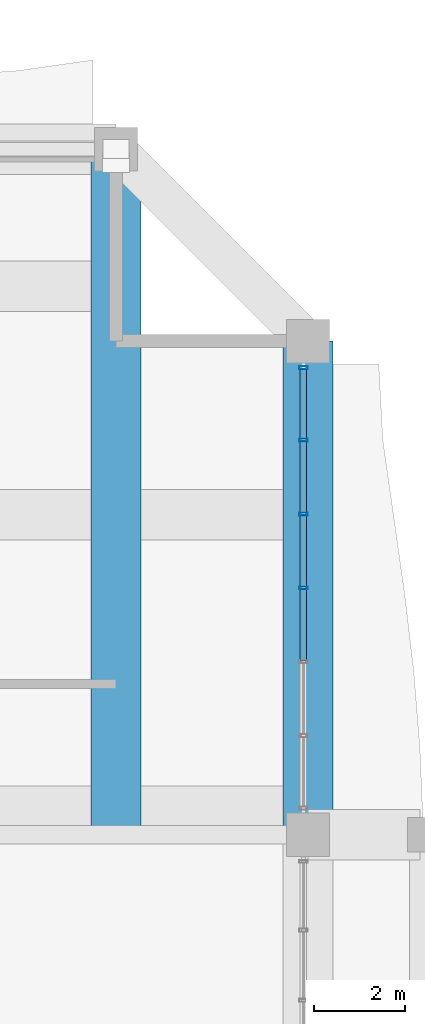
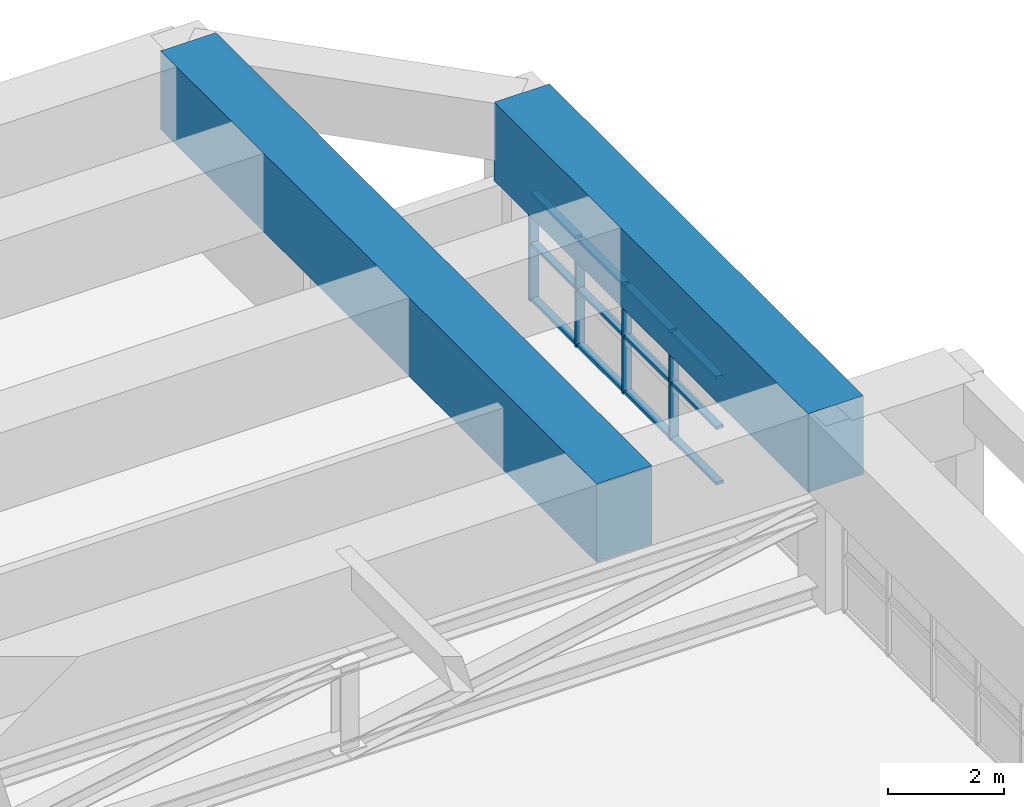
# One storey, part 25 of 35: 16 members, 2 beams, 1 element without a shape of its own.
"""IFC4 building model written with IfcOpenShell, lengths in metres."""

from ifc_helpers import new_model, si_unit, direction, frame, origin, origin_2d, place, context, subcontext, project, spatial, rectangle, hollow_rectangle, extrude, source, transform, mapped, material, layer, layer_set, material_profile, profile_set, type_object, element, aggregate, save


model = new_model("IFC4")

# Units and contexts
model_context = context("Model", 3, precision=1e-05, world=origin(), true_north=direction((0.0, 1.0)))
body_context = subcontext(model_context, "Body", "Model", "MODEL_VIEW")
ifc_project = project(units=[si_unit("LENGTHUNIT", "METRE"), si_unit("AREAUNIT", "SQUARE_METRE"), si_unit("VOLUMEUNIT", "CUBIC_METRE"), si_unit("PLANEANGLEUNIT", "RADIAN"), si_unit("MASSUNIT", "GRAM", prefix="KILO")], contexts=[model_context])

# Site, building, storey
site_placement = place(None, origin())
site = spatial("IfcSite", under=ifc_project, at=site_placement, CompositionType="ELEMENT")
building_placement = place(site_placement, origin())
building = spatial("IfcBuilding", under=site, at=building_placement, Name="Saelheon Loggia Tower", CompositionType="ELEMENT")
storey_placement = place(building_placement, frame((0.0, 0.0, 144.75)))
storey = spatial("IfcBuildingStorey", under=building, at=storey_placement, Name="L46", CompositionType="ELEMENT", Elevation=144.75)

# Beams
ifc_material_1 = material(Name="Concrete C50/60", Category="concrete")
ifc_material_profile_1 = material_profile(ifc_material_1, rectangle(XDim=1.10009765625, YDim=1.64990234375, at=origin_2d()), Name="RC-1100x1650")
ifc_profile_set_1 = profile_set([ifc_material_profile_1], Name="Concrete C50/60")
beam_type_1 = type_object("IfcBeamType", Name="Beam_PerimMega_RC1100x1650", PredefinedType="BEAM", material=ifc_profile_set_1)
shared_shape_1 = source(origin(), body_context, "Body", "SweptSolid", [
    extrude(rectangle(XDim=1.10009765625, YDim=1.64990234375, at=origin_2d()), origin(), (0.0, 0.0, 1.0), 10.800048828125),
])
beam_1_placement = place(storey_placement, frame((64.0, 36.0, 3.125), z_axis=(0.0, 1.0, 0.0), x_axis=(-1.0, 0.0, 0.0)))
element("IfcBeam", 1, at=beam_1_placement, inside=storey, type_object=beam_type_1, Name="L46 Perimeter Frame Girder 07", PredefinedType="BEAM", context=body_context, shape_type="MappedRepresentation", body=[
    mapped(shared_shape_1, transform((0.0, 0.0, 0.0), scale=1.0)),
])
ifc_material_profile_2 = material_profile(ifc_material_1, rectangle(XDim=1.10009765625, YDim=1.64990234375, at=origin_2d()), Name="RC-1100x1650")
ifc_profile_set_2 = profile_set([ifc_material_profile_2], Name="Concrete C50/60")
beam_type_2 = type_object("IfcBeamType", Name="Beam_MegaTransfer_RC1100x1650", PredefinedType="BEAM", material=ifc_profile_set_2)
shared_shape_2 = source(origin(), body_context, "Body", "SweptSolid", [
    extrude(rectangle(XDim=1.10009765625, YDim=1.64990234375, at=origin_2d()), origin(), (0.0, 0.0, 1.0), 15.0),
])
beam_2_placement = place(storey_placement, frame((59.800048828125, 36.0, 3.125), z_axis=(0.0, 1.0, 0.0), x_axis=(-1.0, 0.0, 0.0)))
element("IfcBeam", 2, at=beam_2_placement, inside=storey, type_object=beam_type_2, Name="TG-L46-NL-NE", PredefinedType="BEAM", context=body_context, shape_type="MappedRepresentation", body=[
    mapped(shared_shape_2, transform((0.0, 0.0, 0.0), scale=1.0)),
])

# Curtain wall, members
ifc_material_2 = material(Name="Anodised Aluminium Acoustic Louvre Curtain Wall", Category="aluminium")
ifc_layer = layer(ifc_material_2, 0.179931640625)
ifc_layer_set = layer_set([ifc_layer], Name="Anodised Aluminium Acoustic Louvre Curtain Wall")
curtain_wall_type = type_object("IfcCurtainWallType", Name="CW_RefugeAcoustic", PredefinedType="NOTDEFINED", material=ifc_layer_set)
curtain_wall_placement = place(storey_placement, origin())
curtain_wall = element("IfcCurtainWall", 3, at=curtain_wall_placement, inside=storey, type_object=curtain_wall_type, Name="L46 E Refuge Acoustic Curtain Wall 3", PredefinedType="NOTDEFINED")
ifc_material_3 = material(Name="Anodised Aluminium 6063-T6", Category="aluminium")
ifc_material_profile_3 = material_profile(ifc_material_3, hollow_rectangle(XDim=0.06494140625, YDim=0.179931640625, WallThickness=0.00390625, at=origin_2d()), Name="RHS-180x65x4")
ifc_profile_set_3 = profile_set([ifc_material_profile_3], Name="Anodised Aluminium 6063-T6")
member_type_1 = type_object("IfcMemberType", Name="CW_RefugeAcoustic_Mullion", PredefinedType="MULLION", material=ifc_profile_set_3)
shared_shape_3 = source(origin(), body_context, "Body", "SweptSolid", [
    extrude(hollow_rectangle(XDim=0.06494140625, YDim=0.179931640625, WallThickness=0.00390625, at=origin_2d()), origin(), (0.0, 0.0, 1.0), 2.2900390625),
])
member_1_placement = place(storey_placement, frame((63.89990234375, 41.39990234375, 0.0), z_axis=(0.0, 0.0, 1.0), x_axis=(0.0, 1.0, 0.0)))
member_1 = element("IfcMember", 4, at=member_1_placement, type_object=member_type_1, Name="CW5 mullion 4", PredefinedType="MULLION", context=body_context, shape_type="MappedRepresentation", body=[
    mapped(shared_shape_3, transform((0.0, 0.0, 0.0), scale=1.0)),
])
member_2_placement = place(storey_placement, frame((63.89990234375, 43.0166015625, 0.0), z_axis=(0.0, 0.0, 1.0), x_axis=(0.0, 1.0, 0.0)))
member_2 = element("IfcMember", 5, at=member_2_placement, type_object=member_type_1, Name="CW5 mullion 5", PredefinedType="MULLION", context=body_context, shape_type="MappedRepresentation", body=[
    mapped(shared_shape_3, transform((0.0, 0.0, 0.0), scale=1.0)),
])
member_3_placement = place(storey_placement, frame((63.89990234375, 44.63330078125, 0.0), z_axis=(0.0, 0.0, 1.0), x_axis=(0.0, 1.0, 0.0)))
member_3 = element("IfcMember", 6, at=member_3_placement, type_object=member_type_1, Name="CW5 mullion 6", PredefinedType="MULLION", context=body_context, shape_type="MappedRepresentation", body=[
    mapped(shared_shape_3, transform((0.0, 0.0, 0.0), scale=1.0)),
])
member_4_placement = place(storey_placement, frame((63.89990234375, 46.217529296875, 0.0), z_axis=(0.0, 0.0, 1.0), x_axis=(0.0, 1.0, 0.0)))
member_4 = element("IfcMember", 7, at=member_4_placement, type_object=member_type_1, Name="CW5 mullion 7", PredefinedType="MULLION", context=body_context, shape_type="MappedRepresentation", body=[
    mapped(shared_shape_3, transform((0.0, 0.0, 0.0), scale=1.0)),
])
ifc_material_profile_4 = material_profile(ifc_material_3, hollow_rectangle(XDim=0.06494140625, YDim=0.139892578125, WallThickness=0.00390625, at=origin_2d()), Name="RHS-140x65x4")
ifc_profile_set_4 = profile_set([ifc_material_profile_4], Name="Anodised Aluminium 6063-T6")
member_type_2 = type_object("IfcMemberType", Name="CW_RefugeAcoustic_Transom", PredefinedType="USERDEFINED", material=ifc_profile_set_4)
shared_shape_4 = source(origin(), body_context, "Body", "SweptSolid", [
    extrude(hollow_rectangle(XDim=0.06494140625, YDim=0.139892578125, WallThickness=0.00390625, at=origin_2d()), origin(), (0.0, 0.0, 1.0), 1.519287109375),
])
member_5_placement = place(storey_placement, frame((63.89990234375, 44.665771484375, 0.032470703125), z_axis=(0.0, 1.0, 0.0), x_axis=(0.0, 0.0, 1.0)))
member_5 = element("IfcMember", 8, at=member_5_placement, type_object=member_type_2, Name="CW5 transom 6.1", ObjectType="TRANSOM", PredefinedType="USERDEFINED", context=body_context, shape_type="MappedRepresentation", body=[
    mapped(shared_shape_4, transform((0.0, 0.0, 0.0), scale=1.0)),
])
member_6_placement = place(storey_placement, frame((63.89990234375, 44.665771484375, 1.199951171875), z_axis=(0.0, 1.0, 0.0), x_axis=(0.0, 0.0, 1.0)))
member_6 = element("IfcMember", 9, at=member_6_placement, type_object=member_type_2, Name="CW5 transom 6.2", ObjectType="TRANSOM", PredefinedType="USERDEFINED", context=body_context, shape_type="MappedRepresentation", body=[
    mapped(shared_shape_4, transform((0.0, 0.0, 0.0), scale=1.0)),
])
member_7_placement = place(storey_placement, frame((63.89990234375, 44.665771484375, 2.257568359375), z_axis=(0.0, 1.0, 0.0), x_axis=(0.0, 0.0, 1.0)))
member_7 = element("IfcMember", 10, at=member_7_placement, type_object=member_type_2, Name="CW5 transom 6.3", ObjectType="TRANSOM", PredefinedType="USERDEFINED", context=body_context, shape_type="MappedRepresentation", body=[
    mapped(shared_shape_4, transform((0.0, 0.0, 0.0), scale=1.0)),
])
shared_shape_5 = source(origin(), body_context, "Body", "SweptSolid", [
    extrude(hollow_rectangle(XDim=0.06494140625, YDim=0.139892578125, WallThickness=0.00390625, at=origin_2d()), origin(), (0.0, 0.0, 1.0), 1.5517578125),
])
member_8_placement = place(storey_placement, frame((63.89990234375, 43.049072265625, 0.032470703125), z_axis=(0.0, 1.0, 0.0), x_axis=(0.0, 0.0, 1.0)))
member_8 = element("IfcMember", 11, at=member_8_placement, type_object=member_type_2, Name="CW5 transom 5.1", ObjectType="TRANSOM", PredefinedType="USERDEFINED", context=body_context, shape_type="MappedRepresentation", body=[
    mapped(shared_shape_5, transform((0.0, 0.0, 0.0), scale=1.0)),
])
member_9_placement = place(storey_placement, frame((63.89990234375, 43.049072265625, 1.199951171875), z_axis=(0.0, 1.0, 0.0), x_axis=(0.0, 0.0, 1.0)))
member_9 = element("IfcMember", 12, at=member_9_placement, type_object=member_type_2, Name="CW5 transom 5.2", ObjectType="TRANSOM", PredefinedType="USERDEFINED", context=body_context, shape_type="MappedRepresentation", body=[
    mapped(shared_shape_5, transform((0.0, 0.0, 0.0), scale=1.0)),
])
member_10_placement = place(storey_placement, frame((63.89990234375, 43.049072265625, 2.257568359375), z_axis=(0.0, 1.0, 0.0), x_axis=(0.0, 0.0, 1.0)))
member_10 = element("IfcMember", 13, at=member_10_placement, type_object=member_type_2, Name="CW5 transom 5.3", ObjectType="TRANSOM", PredefinedType="USERDEFINED", context=body_context, shape_type="MappedRepresentation", body=[
    mapped(shared_shape_5, transform((0.0, 0.0, 0.0), scale=1.0)),
])
shared_shape_6 = source(origin(), body_context, "Body", "SweptSolid", [
    extrude(hollow_rectangle(XDim=0.06494140625, YDim=0.139892578125, WallThickness=0.00390625, at=origin_2d()), origin(), (0.0, 0.0, 1.0), 1.551513671875),
])
member_11_placement = place(storey_placement, frame((63.89990234375, 39.81591796875, 0.032470703125), z_axis=(0.0, 1.0, 0.0), x_axis=(0.0, 0.0, 1.0)))
member_11 = element("IfcMember", 14, at=member_11_placement, type_object=member_type_2, Name="CW5 transom 3.1", ObjectType="TRANSOM", PredefinedType="USERDEFINED", context=body_context, shape_type="MappedRepresentation", body=[
    mapped(shared_shape_6, transform((0.0, 0.0, 0.0), scale=1.0)),
])
member_12_placement = place(storey_placement, frame((63.89990234375, 39.81591796875, 1.199951171875), z_axis=(0.0, 1.0, 0.0), x_axis=(0.0, 0.0, 1.0)))
member_12 = element("IfcMember", 15, at=member_12_placement, type_object=member_type_2, Name="CW5 transom 3.2", ObjectType="TRANSOM", PredefinedType="USERDEFINED", context=body_context, shape_type="MappedRepresentation", body=[
    mapped(shared_shape_6, transform((0.0, 0.0, 0.0), scale=1.0)),
])
member_13_placement = place(storey_placement, frame((63.89990234375, 39.81591796875, 2.257568359375), z_axis=(0.0, 1.0, 0.0), x_axis=(0.0, 0.0, 1.0)))
member_13 = element("IfcMember", 16, at=member_13_placement, type_object=member_type_2, Name="CW5 transom 3.3", ObjectType="TRANSOM", PredefinedType="USERDEFINED", context=body_context, shape_type="MappedRepresentation", body=[
    mapped(shared_shape_6, transform((0.0, 0.0, 0.0), scale=1.0)),
])
member_14_placement = place(storey_placement, frame((63.89990234375, 41.4326171875, 0.032470703125), z_axis=(0.0, 1.0, 0.0), x_axis=(0.0, 0.0, 1.0)))
member_14 = element("IfcMember", 17, at=member_14_placement, type_object=member_type_2, Name="CW5 transom 4.1", ObjectType="TRANSOM", PredefinedType="USERDEFINED", context=body_context, shape_type="MappedRepresentation", body=[
    mapped(shared_shape_6, transform((0.0, 0.0, 0.0), scale=1.0)),
])
member_15_placement = place(storey_placement, frame((63.89990234375, 41.4326171875, 1.199951171875), z_axis=(0.0, 1.0, 0.0), x_axis=(0.0, 0.0, 1.0)))
member_15 = element("IfcMember", 18, at=member_15_placement, type_object=member_type_2, Name="CW5 transom 4.2", ObjectType="TRANSOM", PredefinedType="USERDEFINED", context=body_context, shape_type="MappedRepresentation", body=[
    mapped(shared_shape_6, transform((0.0, 0.0, 0.0), scale=1.0)),
])
member_16_placement = place(storey_placement, frame((63.89990234375, 41.4326171875, 2.257568359375), z_axis=(0.0, 1.0, 0.0), x_axis=(0.0, 0.0, 1.0)))
member_16 = element("IfcMember", 19, at=member_16_placement, type_object=member_type_2, Name="CW5 transom 4.3", ObjectType="TRANSOM", PredefinedType="USERDEFINED", context=body_context, shape_type="MappedRepresentation", body=[
    mapped(shared_shape_6, transform((0.0, 0.0, 0.0), scale=1.0)),
])
aggregate(curtain_wall, [member_1, member_2, member_3, member_4, member_11, member_12, member_13, member_14, member_15, member_16, member_8, member_9, member_10, member_5, member_6, member_7])

save(model, "model.ifc")
